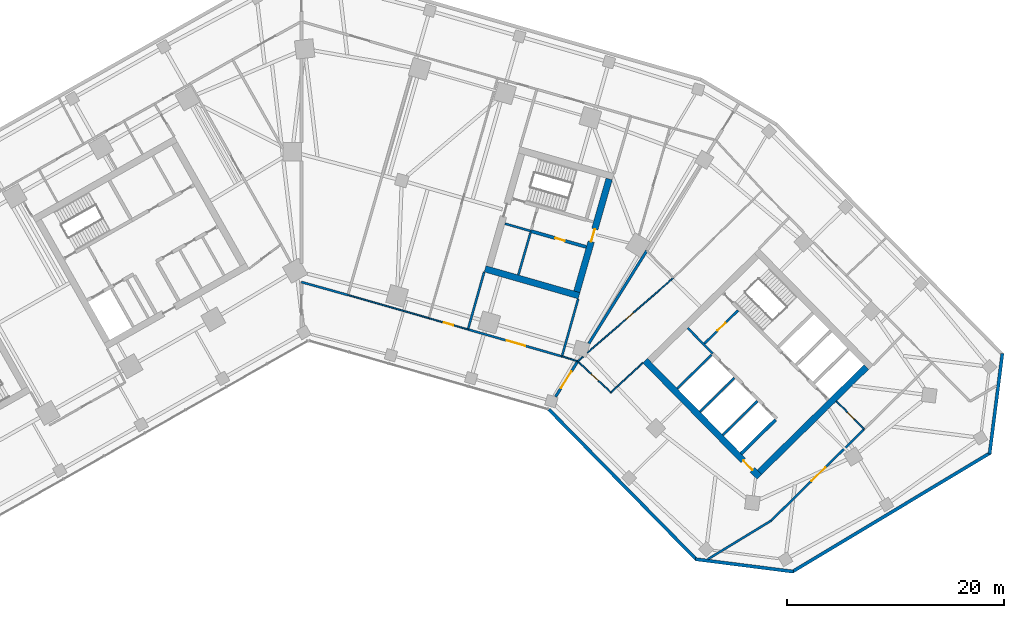
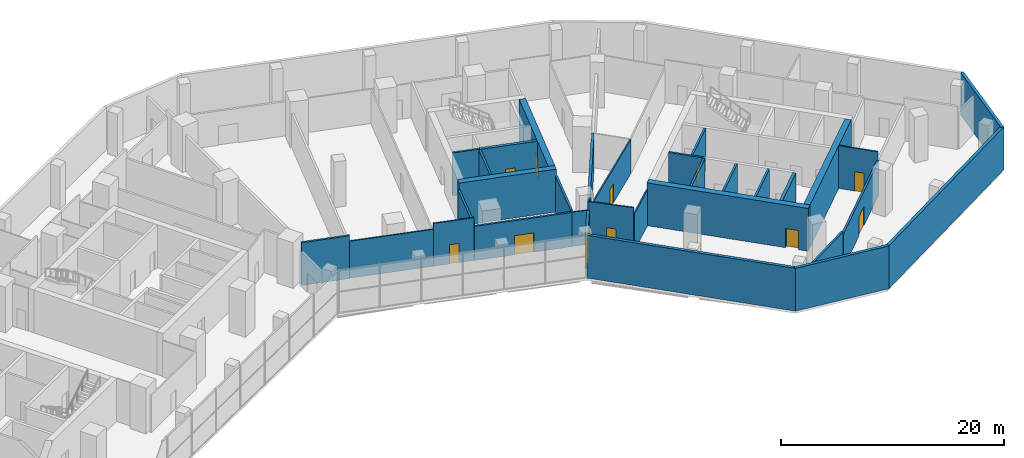
# One storey, part 11 of 16: 33 walls, 11 doors, 11 openings.
"""IFC4 building model written with IfcOpenShell, lengths in metres."""

from ifc_helpers import new_model, si_unit, direction, frame, frame_2d, origin, place, context, subcontext, project, spatial, rectangle, extrude, material, layer, layer_set, type_object, element, fill, save


model = new_model("IFC4")

# Units and contexts
model_context = context("Model", 3, precision=1e-05, world=origin(), true_north=direction((0.0, 1.0)))
body_context = subcontext(model_context, "Body", "Model", "MODEL_VIEW")
ifc_project = project(units=[si_unit("LENGTHUNIT", "METRE"), si_unit("AREAUNIT", "SQUARE_METRE"), si_unit("VOLUMEUNIT", "CUBIC_METRE"), si_unit("PLANEANGLEUNIT", "RADIAN"), si_unit("MASSUNIT", "GRAM", prefix="KILO")], contexts=[model_context])

# Site, building, storey
site_placement = place(None, origin())
site = spatial("IfcSite", under=ifc_project, at=site_placement, CompositionType="ELEMENT")
building_placement = place(site_placement, origin())
building = spatial("IfcBuilding", under=site, at=building_placement, Name="Binnacle Exchange Tower", CompositionType="ELEMENT")
storey_placement = place(building_placement, frame((0.0, 0.0, 21.5)))
storey = spatial("IfcBuildingStorey", under=building, at=storey_placement, Name="L04", CompositionType="ELEMENT", Elevation=21.5)

# Wall
ifc_material_1 = material(Name="Concrete C70/85", Category="concrete")
ifc_layer_1 = layer(ifc_material_1, 0.300048828125)
ifc_layer_set_1 = layer_set([ifc_layer_1], Name="Core wall - front 300")
wall_type_1 = type_object("IfcWallType", Name="Core wall - front 300", PredefinedType="SOLIDWALL", material=ifc_layer_set_1)
wall_1_placement = place(storey_placement, frame((40.480712890625, 32.199951171875, 0.0), z_axis=(0.0, 0.0, 1.0), x_axis=(0.713251741427, 0.700907949271, 0.0)))
element("IfcWall", 1, at=wall_1_placement, inside=storey, type_object=wall_type_1, Name="Core wall CRWB14", PredefinedType="SOLIDWALL", context=body_context, shape_type="SweptSolid", body=[
    extrude(rectangle(XDim=4.4501953125, YDim=0.300048828125, at=frame_2d((2.22509765625, 0.0))), origin(), (0.0, 0.0, 1.0), 4.679931640625),
])

# Wall, opening, door
wall_2_placement = place(storey_placement, frame((21.130859375, 52.6923828125, 0.0), z_axis=(0.0, 0.0, 1.0), x_axis=(0.961271492568, -0.275603188616, 0.0)))
wall_2 = element("IfcWall", 2, at=wall_2_placement, inside=storey, type_object=wall_type_1, Name="Core wall CRWD3", PredefinedType="SOLIDWALL", context=body_context, shape_type="SweptSolid", body=[
    extrude(rectangle(XDim=5.300048828125, YDim=0.300048828125, at=frame_2d((2.64990234375, 0.0))), origin(), (0.0, 0.0, 1.0), 4.679931640625),
])
opening_1_placement = place(wall_2_placement, frame((2.35009765625, 0.0, 0.0)))
opening_1 = element("IfcOpeningElement", 3, at=opening_1_placement, cuts=wall_2, Name="Opening DD10", PredefinedType="OPENING", context=body_context, shape_type="SweptSolid", body=[
    extrude(rectangle(XDim=0.89990234375, YDim=2.10009765625, at=frame_2d((0.449951171875, 1.050048828125))), frame((0.0, 0.159912109375, 0.0), z_axis=(0.0, -1.0, 0.0), x_axis=(1.0, 0.0, 0.0)), (0.0, 0.0, 1.0), 0.320068359375),
])
ifc_material_2 = material(Name="Steel door leaf", Category="steel")
door_type_1 = type_object("IfcDoorType", Name="Fire door 900", OperationType="NOTDEFINED", PredefinedType="DOOR", material=ifc_material_2)
door_1_placement = place(opening_1_placement, frame((0.89990234375, 0.0, 0.0), z_axis=(0.0, 0.0, 1.0), x_axis=(-1.0, 0.0, 0.0)))
door_1 = element("IfcDoor", 4, at=door_1_placement, inside=storey, type_object=door_type_1, Name="Core room door TELECOM RISER ROOM", OperationType="SINGLE_SWING_LEFT", OverallHeight=2.10009765625, OverallWidth=0.89990234375, PredefinedType="DOOR", context=body_context, shape_type="SweptSolid", body=[
    extrude(rectangle(XDim=0.89990234375, YDim=2.10009765625, at=frame_2d((0.449951171875, 1.050048828125))), frame((0.0, 0.02490234375, 0.0), z_axis=(0.0, -1.0, 0.0), x_axis=(1.0, 0.0, 0.0)), (0.0, 0.0, 1.0), 0.050048828125),
])
fill(opening_1, door_1)

ifc_layer_2 = layer(ifc_material_1, 0.60009765625)
ifc_layer_set_2 = layer_set([ifc_layer_2], Name="Core wall - outer 600")
wall_type_2 = type_object("IfcWallType", Name="Core wall - outer 600", PredefinedType="SOLIDWALL", material=ifc_layer_set_2)
wall_3_placement = place(storey_placement, frame((31.6455078125, 40.7626953125, 0.0), z_axis=(0.0, 0.0, 1.0), x_axis=(0.700911255944, -0.713248491965, 0.0)))
wall_3 = element("IfcWall", 5, at=wall_3_placement, inside=storey, type_object=wall_type_2, Name="Core wall CRWB1", PredefinedType="SOLIDWALL", context=body_context, shape_type="SweptSolid", body=[
    extrude(rectangle(XDim=15.0, YDim=0.60009765625, at=frame_2d((7.5, 0.0))), origin(), (0.0, 0.0, 1.0), 4.679931640625),
])
opening_2_placement = place(wall_3_placement, frame((12.89990234375, 0.0, 0.0)))
opening_2 = element("IfcOpeningElement", 6, at=opening_2_placement, cuts=wall_3, Name="Opening DB7", PredefinedType="OPENING", context=body_context, shape_type="SweptSolid", body=[
    extrude(rectangle(XDim=1.199951171875, YDim=2.10009765625, at=frame_2d((0.60009765625, 1.050048828125))), frame((0.0, 0.31005859375, 0.0), z_axis=(0.0, -1.0, 0.0), x_axis=(1.0, 0.0, 0.0)), (0.0, 0.0, 1.0), 0.6201171875),
])
door_type_2 = type_object("IfcDoorType", Name="Fire door 1200", OperationType="NOTDEFINED", PredefinedType="DOOR", material=ifc_material_2)
door_2_placement = place(opening_2_placement, frame((1.199951171875, 0.0, 0.0), z_axis=(0.0, 0.0, 1.0), x_axis=(-1.0, 0.0, 0.0)))
door_2 = element("IfcDoor", 7, at=door_2_placement, inside=storey, type_object=door_type_2, Name="Lift lobby entrance door core B", OperationType="SINGLE_SWING_LEFT", OverallHeight=2.10009765625, OverallWidth=1.199951171875, PredefinedType="DOOR", context=body_context, shape_type="SweptSolid", body=[
    extrude(rectangle(XDim=1.199951171875, YDim=2.10009765625, at=frame_2d((0.60009765625, 1.050048828125))), frame((0.0, 0.02490234375, 0.0), z_axis=(0.0, -1.0, 0.0), x_axis=(1.0, 0.0, 0.0)), (0.0, 0.0, 1.0), 0.050048828125),
])
fill(opening_2, door_2)

# Walls
wall_4_placement = place(storey_placement, frame((42.1630859375, 30.48828125, 0.0), z_axis=(0.0, 0.0, 1.0), x_axis=(0.713245344712, 0.70091445858, 0.0)))
element("IfcWall", 8, at=wall_4_placement, inside=storey, type_object=wall_type_2, Name="Core wall CRWB16", PredefinedType="SOLIDWALL", context=body_context, shape_type="SweptSolid", body=[
    extrude(rectangle(XDim=13.800048828125, YDim=0.60009765625, at=frame_2d((6.89990234375, 0.0))), origin(), (0.0, 0.0, 1.0), 4.679931640625),
])
wall_5_placement = place(storey_placement, frame((16.91064453125, 49.22119140625, 0.0), z_axis=(0.0, 0.0, 1.0), x_axis=(0.96126248289, -0.275634611374, 0.0)))
element("IfcWall", 9, at=wall_5_placement, inside=storey, type_object=wall_type_2, Name="Core wall CRWD1", PredefinedType="SOLIDWALL", context=body_context, shape_type="SweptSolid", body=[
    extrude(rectangle(XDim=9.0, YDim=0.60009765625, at=frame_2d((4.5, 0.0))), origin(), (0.0, 0.0, 1.0), 4.679931640625),
])

# Wall, opening, door
wall_6_placement = place(storey_placement, frame((25.356201171875, 47.111572265625, 0.0), z_axis=(0.0, 0.0, 1.0), x_axis=(0.275631631629, 0.961263337304, 0.0)))
wall_6 = element("IfcWall", 10, at=wall_6_placement, inside=storey, type_object=wall_type_2, Name="Core wall CRWD12", PredefinedType="SOLIDWALL", context=body_context, shape_type="SweptSolid", body=[
    extrude(rectangle(XDim=10.800048828125, YDim=0.60009765625, at=frame_2d((5.39990234375, 0.0))), origin(), (0.0, 0.0, 1.0), 4.679931640625),
])
opening_3_placement = place(wall_6_placement, frame((4.800048828125, 0.0, 0.0)))
opening_3 = element("IfcOpeningElement", 11, at=opening_3_placement, cuts=wall_6, Name="Opening DD6", PredefinedType="OPENING", context=body_context, shape_type="SweptSolid", body=[
    extrude(rectangle(XDim=1.199951171875, YDim=2.10009765625, at=frame_2d((0.60009765625, 1.050048828125))), frame((0.0, 0.31005859375, 0.0), z_axis=(0.0, -1.0, 0.0), x_axis=(1.0, 0.0, 0.0)), (0.0, 0.0, 1.0), 0.6201171875),
])
door_3_placement = place(opening_3_placement, frame((1.199951171875, 0.0, 0.0), z_axis=(0.0, 0.0, 1.0), x_axis=(-1.0, 0.0, 0.0)))
door_3 = element("IfcDoor", 12, at=door_3_placement, inside=storey, type_object=door_type_2, Name="Core passage exit door", OperationType="SINGLE_SWING_LEFT", OverallHeight=2.10009765625, OverallWidth=1.199951171875, PredefinedType="DOOR", context=body_context, shape_type="SweptSolid", body=[
    extrude(rectangle(XDim=1.199951171875, YDim=2.10009765625, at=frame_2d((0.60009765625, 1.050048828125))), frame((0.0, 0.02490234375, 0.0), z_axis=(0.0, -1.0, 0.0), x_axis=(1.0, 0.0, 0.0)), (0.0, 0.0, 1.0), 0.050048828125),
])
fill(opening_3, door_3)

# Walls
ifc_material_3 = material(Name="Bronze aluminium louvre", Category="aluminium")
ifc_layer_3 = layer(ifc_material_3, 0.300048828125)
ifc_layer_set_3 = layer_set([ifc_layer_3], Name="External wall - podium louvre 300")
wall_type_3 = type_object("IfcWallType", Name="External wall - podium louvre 300", PredefinedType="STANDARD", material=ifc_layer_set_3)
wall_7_placement = place(storey_placement, frame((36.37646484375, 22.43994140625, 0.0), z_axis=(0.0, 0.0, 1.0), x_axis=(-0.700917061273, 0.713242787006, 0.0)))
element("IfcWall", 13, at=wall_7_placement, inside=storey, type_object=wall_type_3, Name="External wall EW-P08 L04", PredefinedType="STANDARD", context=body_context, shape_type="SweptSolid", body=[
    extrude(rectangle(XDim=19.391357421875, YDim=0.300048828125, at=frame_2d((9.69580078125, 0.0))), origin(), (0.0, 0.0, 1.0), 4.679931640625),
])
wall_8_placement = place(storey_placement, frame((45.28466796875, 21.339111328125, 0.0), z_axis=(0.0, 0.0, 1.0), x_axis=(-0.992004224696, 0.126204667844, 0.0)))
element("IfcWall", 14, at=wall_8_placement, inside=storey, type_object=wall_type_3, Name="External wall EW-P09 L04", PredefinedType="STANDARD", context=body_context, shape_type="SweptSolid", body=[
    extrude(rectangle(XDim=9.06884765625, YDim=0.300048828125, at=frame_2d((4.534423828125, 0.0))), origin(), (0.0, 0.0, 1.0), 4.679931640625),
])
wall_9_placement = place(storey_placement, frame((63.432373046875, 32.28076171875, 0.0), z_axis=(0.0, 0.0, 1.0), x_axis=(-0.85716989082, -0.515033764206, 0.0)))
element("IfcWall", 15, at=wall_9_placement, inside=storey, type_object=wall_type_3, Name="External wall EW-P10 L04", PredefinedType="STANDARD", context=body_context, shape_type="SweptSolid", body=[
    extrude(rectangle(XDim=21.283935546875, YDim=0.300048828125, at=frame_2d((10.64208984375, 0.0))), origin(), (0.0, 0.0, 1.0), 4.679931640625),
])
wall_10_placement = place(storey_placement, frame((64.5380859375, 41.426025390625, 0.0), z_axis=(0.0, 0.0, 1.0), x_axis=(-0.126185920425, -0.992006609598, 0.0)))
element("IfcWall", 16, at=wall_10_placement, inside=storey, type_object=wall_type_3, Name="External wall EW-P11 L04", PredefinedType="STANDARD", context=body_context, shape_type="SweptSolid", body=[
    extrude(rectangle(XDim=9.329345703125, YDim=0.300048828125, at=frame_2d((4.66455078125, 0.0))), origin(), (0.0, 0.0, 1.0), 4.679931640625),
])
ifc_material_4 = material(Name="Masonry block wall", Category="masonry")
ifc_layer_4 = layer(ifc_material_4, 0.199951171875)
ifc_layer_set_4 = layer_set([ifc_layer_4], Name="Fire wall - block 200")
wall_type_4 = type_object("IfcWallType", Name="Fire wall - block 200", PredefinedType="PARTITIONING", material=ifc_layer_set_4)
wall_11_placement = place(storey_placement, frame((0.0, 48.0, 0.0), z_axis=(0.0, 0.0, 1.0), x_axis=(0.963400508162, -0.268066150181, 0.0)))
element("IfcWall", 17, at=wall_11_placement, inside=storey, type_object=wall_type_4, Name="Partition W42", PredefinedType="PARTITIONING", context=body_context, shape_type="SweptSolid", body=[
    extrude(rectangle(XDim=4.442626953125, YDim=0.199951171875, at=frame_2d((2.22119140625, 0.0))), origin(), (0.0, 0.0, 1.0), 4.679931640625),
])
wall_12_placement = place(storey_placement, frame((15.3349609375, 43.638916015625, 0.0), z_axis=(0.0, 0.0, 1.0), x_axis=(0.271407455373, 0.962464541252, 0.0)))
element("IfcWall", 18, at=wall_12_placement, inside=storey, type_object=wall_type_4, Name="Partition W53", PredefinedType="PARTITIONING", context=body_context, shape_type="SweptSolid", body=[
    extrude(rectangle(XDim=5.500732421875, YDim=0.199951171875, at=frame_2d((2.75048828125, 0.0))), origin(), (0.0, 0.0, 1.0), 3.9599609375),
])

# Wall, opening, door
wall_13_placement = place(storey_placement, frame((15.3349609375, 43.638916015625, 0.0), z_axis=(0.0, 0.0, 1.0), x_axis=(0.961281982754, -0.275566597455, 0.0)))
wall_13 = element("IfcWall", 19, at=wall_13_placement, inside=storey, type_object=wall_type_4, Name="Partition W54", PredefinedType="PARTITIONING", context=body_context, shape_type="SweptSolid", body=[
    extrude(rectangle(XDim=8.99951171875, YDim=0.199951171875, at=frame_2d((4.499755859375, 0.0))), origin(), (0.0, 0.0, 1.0), 3.748046875),
])
opening_4_placement = place(wall_13_placement, frame((3.699951171875, 0.0, 0.0)))
opening_4 = element("IfcOpeningElement", 20, at=opening_4_placement, cuts=wall_13, Name="Opening DL03-22", PredefinedType="OPENING", context=body_context, shape_type="SweptSolid", body=[
    extrude(rectangle(XDim=1.800048828125, YDim=2.10009765625, at=frame_2d((0.89990234375, 1.050048828125))), frame((0.0, 0.10986328125, 0.0), z_axis=(0.0, -1.0, 0.0), x_axis=(1.0, 0.0, 0.0)), (0.0, 0.0, 1.0), 0.219970703125),
])
door_type_3 = type_object("IfcDoorType", Name="Fire door 1800", OperationType="NOTDEFINED", PredefinedType="DOOR", material=ifc_material_2)
door_4_placement = place(opening_4_placement, origin())
door_4 = element("IfcDoor", 21, at=door_4_placement, inside=storey, type_object=door_type_3, Name="Door DL03-22", OperationType="DOUBLE_DOOR_SINGLE_SWING", OverallHeight=2.10009765625, OverallWidth=1.800048828125, PredefinedType="DOOR", context=body_context, shape_type="SweptSolid", body=[
    extrude(rectangle(XDim=1.800048828125, YDim=2.10009765625, at=frame_2d((0.89990234375, 1.050048828125))), frame((0.0, 0.02490234375, 0.0), z_axis=(0.0, -1.0, 0.0), x_axis=(1.0, 0.0, 0.0)), (0.0, 0.0, 1.0), 0.050048828125),
])
fill(opening_4, door_4)

# Walls
wall_14_placement = place(storey_placement, frame((23.986083984375, 41.158935546875, 0.0), z_axis=(0.0, 0.0, 1.0), x_axis=(0.271465437068, 0.962448188983, 0.0)))
element("IfcWall", 22, at=wall_14_placement, inside=storey, type_object=wall_type_4, Name="Partition W60", PredefinedType="PARTITIONING", context=body_context, shape_type="SweptSolid", body=[
    extrude(rectangle(XDim=5.49951171875, YDim=0.199951171875, at=frame_2d((2.749755859375, 0.0))), origin(), (0.0, 0.0, 1.0), 3.9599609375),
])
wall_15_placement = place(storey_placement, frame((37.426025390625, 22.489990234375, 0.0), z_axis=(0.0, 0.0, 1.0), x_axis=(0.854177797602, 0.519981047812, 0.0)))
element("IfcWall", 23, at=wall_15_placement, inside=storey, type_object=wall_type_4, Name="Partition W74", PredefinedType="PARTITIONING", context=body_context, shape_type="SweptSolid", body=[
    extrude(rectangle(XDim=6.813720703125, YDim=0.199951171875, at=frame_2d((3.40673828125, 0.0))), origin(), (0.0, 0.0, 1.0), 4.048095703125),
])

# Wall, opening, door
wall_16_placement = place(storey_placement, frame((43.24609375, 26.032958984375, 0.0), z_axis=(0.0, 0.0, 1.0), x_axis=(0.713234358052, 0.700925638349, 0.0)))
wall_16 = element("IfcWall", 24, at=wall_16_placement, inside=storey, type_object=wall_type_4, Name="Partition W79", PredefinedType="PARTITIONING", context=body_context, shape_type="SweptSolid", body=[
    extrude(rectangle(XDim=12.0, YDim=0.199951171875, at=frame_2d((6.0, 0.0))), origin(), (0.0, 0.0, 1.0), 3.741943359375),
])
opening_5_placement = place(wall_16_placement, frame((5.199951171875, 0.0, 0.0)))
opening_5 = element("IfcOpeningElement", 25, at=opening_5_placement, cuts=wall_16, Name="Opening DL03-29", PredefinedType="OPENING", context=body_context, shape_type="SweptSolid", body=[
    extrude(rectangle(XDim=1.800048828125, YDim=2.10009765625, at=frame_2d((0.89990234375, 1.050048828125))), frame((0.0, 0.10986328125, 0.0), z_axis=(0.0, -1.0, 0.0), x_axis=(1.0, 0.0, 0.0)), (0.0, 0.0, 1.0), 0.219970703125),
])
door_5_placement = place(opening_5_placement, frame((1.800048828125, 0.0, 0.0), z_axis=(0.0, 0.0, 1.0), x_axis=(-1.0, 0.0, 0.0)))
door_5 = element("IfcDoor", 26, at=door_5_placement, inside=storey, type_object=door_type_3, Name="Door DL03-29", OperationType="DOUBLE_DOOR_SINGLE_SWING", OverallHeight=2.10009765625, OverallWidth=1.800048828125, PredefinedType="DOOR", context=body_context, shape_type="SweptSolid", body=[
    extrude(rectangle(XDim=1.800048828125, YDim=2.10009765625, at=frame_2d((0.89990234375, 1.050048828125))), frame((0.0, 0.02490234375, 0.0), z_axis=(0.0, -1.0, 0.0), x_axis=(1.0, 0.0, 0.0)), (0.0, 0.0, 1.0), 0.050048828125),
])
fill(opening_5, door_5)

ifc_material_5 = material(Name="Concrete fire wall C30/37", Category="concrete")
ifc_layer_5 = layer(ifc_material_5, 0.25)
ifc_layer_set_5 = layer_set([ifc_layer_5], Name="Fire wall - compartment 250")
wall_type_5 = type_object("IfcWallType", Name="Fire wall - compartment 250", PredefinedType="PARTITIONING", material=ifc_layer_set_5)
wall_17_placement = place(storey_placement, frame((23.39697265625, 37.44189453125, 0.0), z_axis=(0.0, 0.0, 1.0), x_axis=(0.529805058875, 0.848119448893, 0.0)))
wall_17 = element("IfcWall", 27, at=wall_17_placement, inside=storey, type_object=wall_type_5, Name="Fire Wall W58", PredefinedType="PARTITIONING", context=body_context, shape_type="SweptSolid", body=[
    extrude(rectangle(XDim=3.8486328125, YDim=0.25, at=frame_2d((1.92431640625, 0.0))), origin(), (0.0, 0.0, 1.0), 3.741943359375),
])
opening_6_placement = place(wall_17_placement, frame((0.949951171875, 0.0, 0.0)))
opening_6 = element("IfcOpeningElement", 28, at=opening_6_placement, cuts=wall_17, Name="Opening DL03-33", PredefinedType="OPENING", context=body_context, shape_type="SweptSolid", body=[
    extrude(rectangle(XDim=1.800048828125, YDim=2.10009765625, at=frame_2d((0.89990234375, 1.050048828125))), frame((0.0, 0.135009765625, 0.0), z_axis=(0.0, -1.0, 0.0), x_axis=(1.0, 0.0, 0.0)), (0.0, 0.0, 1.0), 0.27001953125),
])
door_6_placement = place(opening_6_placement, origin())
door_6 = element("IfcDoor", 29, at=door_6_placement, inside=storey, type_object=door_type_3, Name="Door DL03-33", OperationType="DOUBLE_DOOR_SINGLE_SWING", OverallHeight=2.10009765625, OverallWidth=1.800048828125, PredefinedType="DOOR", context=body_context, shape_type="SweptSolid", body=[
    extrude(rectangle(XDim=1.800048828125, YDim=2.10009765625, at=frame_2d((0.89990234375, 1.050048828125))), frame((0.0, 0.02490234375, 0.0), z_axis=(0.0, -1.0, 0.0), x_axis=(1.0, 0.0, 0.0)), (0.0, 0.0, 1.0), 0.050048828125),
])
fill(opening_6, door_6)

# Wall
wall_18_placement = place(storey_placement, frame((26.4560546875, 42.337890625, 0.0), z_axis=(0.0, 0.0, 1.0), x_axis=(0.529866075757, 0.848081329686, 0.0)))
element("IfcWall", 30, at=wall_18_placement, inside=storey, type_object=wall_type_5, Name="Fire Wall W64", PredefinedType="PARTITIONING", context=body_context, shape_type="SweptSolid", body=[
    extrude(rectangle(XDim=10.075927734375, YDim=0.25, at=frame_2d((5.0380859375, 0.0))), origin(), (0.0, 0.0, 1.0), 3.741943359375),
])

# Wall, opening, door
ifc_layer_6 = layer(ifc_material_4, 0.199951171875)
ifc_layer_set_6 = layer_set([ifc_layer_6], Name="Fire wall - vestibule 200")
wall_type_6 = type_object("IfcWallType", Name="Fire wall - vestibule 200", PredefinedType="PARTITIONING", material=ifc_layer_set_6)
wall_19_placement = place(storey_placement, frame((37.104248046875, 42.341552734375, 0.0), z_axis=(0.0, 0.0, 1.0), x_axis=(0.713281298468, 0.700877870428, 0.0)))
wall_19 = element("IfcWall", 31, at=wall_19_placement, inside=storey, type_object=wall_type_6, Name="Core wall CRWB8", PredefinedType="PARTITIONING", context=body_context, shape_type="SweptSolid", body=[
    extrude(rectangle(XDim=4.35009765625, YDim=0.199951171875, at=frame_2d((2.175048828125, 0.0))), origin(), (0.0, 0.0, 1.0), 4.679931640625),
])
opening_7_placement = place(wall_19_placement, frame((1.699951171875, 0.0, 0.0)))
opening_7 = element("IfcOpeningElement", 32, at=opening_7_placement, cuts=wall_19, Name="Opening DB3", PredefinedType="OPENING", context=body_context, shape_type="SweptSolid", body=[
    extrude(rectangle(XDim=1.0, YDim=2.10009765625, at=frame_2d((0.5, 1.050048828125))), frame((0.0, 0.10986328125, 0.0), z_axis=(0.0, -1.0, 0.0), x_axis=(1.0, 0.0, 0.0)), (0.0, 0.0, 1.0), 0.219970703125),
])
door_type_4 = type_object("IfcDoorType", Name="Fire door 1000", OperationType="NOTDEFINED", PredefinedType="DOOR", material=ifc_material_2)
door_7_placement = place(opening_7_placement, origin())
door_7 = element("IfcDoor", 33, at=door_7_placement, inside=storey, type_object=door_type_4, Name="Vestibule door VEST-W", OperationType="SINGLE_SWING_RIGHT", OverallHeight=2.10009765625, OverallWidth=1.0, PredefinedType="DOOR", context=body_context, shape_type="SweptSolid", body=[
    extrude(rectangle(XDim=1.0, YDim=2.10009765625, at=frame_2d((0.5, 1.050048828125))), frame((0.0, 0.02490234375, 0.0), z_axis=(0.0, -1.0, 0.0), x_axis=(1.0, 0.0, 0.0)), (0.0, 0.0, 1.0), 0.050048828125),
])
fill(opening_7, door_7)

# Wall
ifc_material_6 = material(Name="Gypsum partition")
ifc_layer_7 = layer(ifc_material_6, 0.125)
ifc_layer_set_7 = layer_set([ifc_layer_7], Name="Partition 125")
wall_type_7 = type_object("IfcWallType", Name="Partition 125", PredefinedType="PARTITIONING", material=ifc_layer_set_7)
wall_20_placement = place(storey_placement, frame((4.280029296875, 46.80908203125, 0.0), z_axis=(0.0, 0.0, 1.0), x_axis=(0.961270337968, -0.275607215693, 0.0)))
element("IfcWall", 34, at=wall_20_placement, inside=storey, type_object=wall_type_7, Name="Partition W49", PredefinedType="PARTITIONING", context=body_context, shape_type="SweptSolid", body=[
    extrude(rectangle(XDim=7.75, YDim=0.125, at=frame_2d((3.875, 0.0))), origin(), (0.0, 0.0, 1.0), 4.048095703125),
])

# Wall, opening, door
wall_21_placement = place(storey_placement, frame((11.72998046875, 44.673095703125, 0.0), z_axis=(0.0, 0.0, 1.0), x_axis=(0.961228613303, -0.275752702557, 0.0)))
wall_21 = element("IfcWall", 35, at=wall_21_placement, inside=storey, type_object=wall_type_7, Name="Partition W51", PredefinedType="PARTITIONING", context=body_context, shape_type="SweptSolid", body=[
    extrude(rectangle(XDim=3.75048828125, YDim=0.125, at=frame_2d((1.875244140625, 0.0))), origin(), (0.0, 0.0, 1.0), 4.679931640625),
])
opening_8_placement = place(wall_21_placement, frame((1.449951171875, 0.0, 0.0)))
opening_8 = element("IfcOpeningElement", 36, at=opening_8_placement, cuts=wall_21, Name="Opening DL03-16", PredefinedType="OPENING", context=body_context, shape_type="SweptSolid", body=[
    extrude(rectangle(XDim=0.89990234375, YDim=2.10009765625, at=frame_2d((0.449951171875, 1.050048828125))), frame((0.0, 0.072509765625, 0.0), z_axis=(0.0, -1.0, 0.0), x_axis=(1.0, 0.0, 0.0)), (0.0, 0.0, 1.0), 0.14501953125),
])
ifc_material_7 = material(Name="Timber door leaf", Category="wood")
door_type_5 = type_object("IfcDoorType", Name="Door 900", OperationType="NOTDEFINED", PredefinedType="DOOR", material=ifc_material_7)
door_8_placement = place(opening_8_placement, frame((0.89990234375, 0.0, 0.0), z_axis=(0.0, 0.0, 1.0), x_axis=(-1.0, 0.0, 0.0)))
door_8 = element("IfcDoor", 37, at=door_8_placement, inside=storey, type_object=door_type_5, Name="Door DL03-16", OperationType="SINGLE_SWING_LEFT", OverallHeight=2.10009765625, OverallWidth=0.89990234375, PredefinedType="DOOR", context=body_context, shape_type="SweptSolid", body=[
    extrude(rectangle(XDim=0.89990234375, YDim=2.10009765625, at=frame_2d((0.449951171875, 1.050048828125))), frame((0.0, 0.02490234375, 0.0), z_axis=(0.0, -1.0, 0.0), x_axis=(1.0, 0.0, 0.0)), (0.0, 0.0, 1.0), 0.050048828125),
])
fill(opening_8, door_8)

# Walls
wall_22_placement = place(storey_placement, frame((23.986083984375, 41.158935546875, 0.0), z_axis=(0.0, 0.0, 1.0), x_axis=(0.954522865266, -0.298137719325, 0.0)))
element("IfcWall", 38, at=wall_22_placement, inside=storey, type_object=wall_type_7, Name="Partition W59", PredefinedType="PARTITIONING", context=body_context, shape_type="SweptSolid", body=[
    extrude(rectangle(XDim=1.51904296875, YDim=0.125, at=frame_2d((0.759521484375, 0.0))), origin(), (0.0, 0.0, 1.0), 3.741943359375),
])
wall_23_placement = place(storey_placement, frame((25.43603515625, 40.7060546875, 0.0), z_axis=(0.0, 0.0, 1.0), x_axis=(0.753521944961, 0.657422754749, 0.0)))
element("IfcWall", 39, at=wall_23_placement, inside=storey, type_object=wall_type_7, Name="Partition W61", PredefinedType="PARTITIONING", context=body_context, shape_type="SweptSolid", body=[
    extrude(rectangle(XDim=0.655517578125, YDim=0.125, at=frame_2d((0.32763671875, 0.0))), origin(), (0.0, 0.0, 1.0), 4.679931640625),
])

# Wall, opening, door
wall_24_placement = place(storey_placement, frame((25.43603515625, 40.7060546875, 0.0), z_axis=(0.0, 0.0, 1.0), x_axis=(0.729011488135, -0.684501461041, 0.0)))
wall_24 = element("IfcWall", 40, at=wall_24_placement, inside=storey, type_object=wall_type_7, Name="Partition W62", PredefinedType="PARTITIONING", context=body_context, shape_type="SweptSolid", body=[
    extrude(rectangle(XDim=4.20166015625, YDim=0.125, at=frame_2d((2.100830078125, 0.0))), origin(), (0.0, 0.0, 1.0), 4.679931640625),
])
opening_9_placement = place(wall_24_placement, frame((1.699951171875, 0.0, 0.0)))
opening_9 = element("IfcOpeningElement", 41, at=opening_9_placement, cuts=wall_24, Name="Opening DL03-23", PredefinedType="OPENING", context=body_context, shape_type="SweptSolid", body=[
    extrude(rectangle(XDim=0.89990234375, YDim=2.10009765625, at=frame_2d((0.449951171875, 1.050048828125))), frame((0.0, 0.072509765625, 0.0), z_axis=(0.0, -1.0, 0.0), x_axis=(1.0, 0.0, 0.0)), (0.0, 0.0, 1.0), 0.14501953125),
])
door_9_placement = place(opening_9_placement, origin())
door_9 = element("IfcDoor", 42, at=door_9_placement, inside=storey, type_object=door_type_5, Name="Door DL03-23", OperationType="SINGLE_SWING_RIGHT", OverallHeight=2.10009765625, OverallWidth=0.89990234375, PredefinedType="DOOR", context=body_context, shape_type="SweptSolid", body=[
    extrude(rectangle(XDim=0.89990234375, YDim=2.10009765625, at=frame_2d((0.449951171875, 1.050048828125))), frame((0.0, 0.02490234375, 0.0), z_axis=(0.0, -1.0, 0.0), x_axis=(1.0, 0.0, 0.0)), (0.0, 0.0, 1.0), 0.050048828125),
])
fill(opening_9, door_9)

wall_25_placement = place(storey_placement, frame((26.337890625, 41.491943359375, 0.0), z_axis=(0.0, 0.0, 1.0), x_axis=(0.753866696092, 0.657027400131, 0.0)))
wall_25 = element("IfcWall", 43, at=wall_25_placement, inside=storey, type_object=wall_type_7, Name="Partition W63", PredefinedType="PARTITIONING", context=body_context, shape_type="SweptSolid", body=[
    extrude(rectangle(XDim=10.49267578125, YDim=0.125, at=frame_2d((5.246337890625, 0.0))), origin(), (0.0, 0.0, 1.0), 3.741943359375),
])
opening_10_placement = place(wall_25_placement, frame((4.699951171875, 0.0, 0.0)))
opening_10 = element("IfcOpeningElement", 44, at=opening_10_placement, cuts=wall_25, Name="Opening DL03-28", PredefinedType="OPENING", context=body_context, shape_type="SweptSolid", body=[
    extrude(rectangle(XDim=0.89990234375, YDim=2.10009765625, at=frame_2d((0.449951171875, 1.050048828125))), frame((0.0, 0.072509765625, 0.0), z_axis=(0.0, -1.0, 0.0), x_axis=(1.0, 0.0, 0.0)), (0.0, 0.0, 1.0), 0.14501953125),
])
door_10_placement = place(opening_10_placement, origin())
door_10 = element("IfcDoor", 45, at=door_10_placement, inside=storey, type_object=door_type_5, Name="Door DL03-28", OperationType="SINGLE_SWING_LEFT", OverallHeight=2.10009765625, OverallWidth=0.89990234375, PredefinedType="DOOR", context=body_context, shape_type="SweptSolid", body=[
    extrude(rectangle(XDim=0.89990234375, YDim=2.10009765625, at=frame_2d((0.449951171875, 1.050048828125))), frame((0.0, 0.02490234375, 0.0), z_axis=(0.0, -1.0, 0.0), x_axis=(1.0, 0.0, 0.0)), (0.0, 0.0, 1.0), 0.050048828125),
])
fill(opening_10, door_10)

# Wall
wall_26_placement = place(storey_placement, frame((28.4990234375, 37.830078125, 0.0), z_axis=(0.0, 0.0, 1.0), x_axis=(0.732973836409, 0.680256830278, 0.0)))
element("IfcWall", 46, at=wall_26_placement, inside=storey, type_object=wall_type_7, Name="Partition W65", PredefinedType="PARTITIONING", context=body_context, shape_type="SweptSolid", body=[
    extrude(rectangle(XDim=4.001220703125, YDim=0.125, at=frame_2d((2.00048828125, 0.0))), origin(), (0.0, 0.0, 1.0), 3.951904296875),
])

# Wall, opening, door
wall_27_placement = place(storey_placement, frame((49.256103515625, 37.0380859375, 0.0), z_axis=(0.0, 0.0, 1.0), x_axis=(0.700869700408, -0.713289326325, 0.0)))
wall_27 = element("IfcWall", 47, at=wall_27_placement, inside=storey, type_object=wall_type_7, Name="Partition W82", PredefinedType="PARTITIONING", context=body_context, shape_type="SweptSolid", body=[
    extrude(rectangle(XDim=3.63671875, YDim=0.125, at=frame_2d((1.818359375, 0.0))), origin(), (0.0, 0.0, 1.0), 4.679931640625),
])
opening_11_placement = place(wall_27_placement, frame((1.449951171875, 0.0, 0.0)))
opening_11 = element("IfcOpeningElement", 48, at=opening_11_placement, cuts=wall_27, Name="Opening DL03-24", PredefinedType="OPENING", context=body_context, shape_type="SweptSolid", body=[
    extrude(rectangle(XDim=0.89990234375, YDim=2.10009765625, at=frame_2d((0.449951171875, 1.050048828125))), frame((0.0, 0.072509765625, 0.0), z_axis=(0.0, -1.0, 0.0), x_axis=(1.0, 0.0, 0.0)), (0.0, 0.0, 1.0), 0.14501953125),
])
door_11_placement = place(opening_11_placement, origin())
door_11 = element("IfcDoor", 49, at=door_11_placement, inside=storey, type_object=door_type_5, Name="Door DL03-24", OperationType="SINGLE_SWING_RIGHT", OverallHeight=2.10009765625, OverallWidth=0.89990234375, PredefinedType="DOOR", context=body_context, shape_type="SweptSolid", body=[
    extrude(rectangle(XDim=0.89990234375, YDim=2.10009765625, at=frame_2d((0.449951171875, 1.050048828125))), frame((0.0, 0.02490234375, 0.0), z_axis=(0.0, -1.0, 0.0), x_axis=(1.0, 0.0, 0.0)), (0.0, 0.0, 1.0), 0.050048828125),
])
fill(opening_11, door_11)

# Walls
ifc_layer_8 = layer(ifc_material_4, 0.199951171875)
ifc_layer_set_8 = layer_set([ifc_layer_8], Name="Riser wall 200")
wall_type_8 = type_object("IfcWallType", Name="Riser wall 200", PredefinedType="SOLIDWALL", material=ifc_layer_set_8)
wall_28_placement = place(storey_placement, frame((35.56103515625, 43.769287109375, 0.0), z_axis=(0.0, 0.0, 1.0), x_axis=(0.70090232736, -0.713257266, 0.0)))
element("IfcWall", 50, at=wall_28_placement, inside=storey, type_object=wall_type_8, Name="Core wall CRWB2", PredefinedType="SOLIDWALL", context=body_context, shape_type="SweptSolid", body=[
    extrude(rectangle(XDim=3.300048828125, YDim=0.199951171875, at=frame_2d((1.64990234375, 0.0))), origin(), (0.0, 0.0, 1.0), 4.679931640625),
])
wall_29_placement = place(storey_placement, frame((34.59326171875, 38.19140625, 0.0), z_axis=(0.0, 0.0, 1.0), x_axis=(0.713252216116, 0.700907466222, 0.0)))
element("IfcWall", 51, at=wall_29_placement, inside=storey, type_object=wall_type_8, Name="Core wall CRWB9", PredefinedType="SOLIDWALL", context=body_context, shape_type="SweptSolid", body=[
    extrude(rectangle(XDim=4.44970703125, YDim=0.199951171875, at=frame_2d((2.224853515625, 0.0))), origin(), (0.0, 0.0, 1.0), 4.679931640625),
])
wall_30_placement = place(storey_placement, frame((18.727783203125, 53.381591796875, 0.0), z_axis=(0.0, 0.0, 1.0), x_axis=(0.961247070632, -0.275688355216, 0.0)))
element("IfcWall", 52, at=wall_30_placement, inside=storey, type_object=wall_type_8, Name="Core wall CRWD2", PredefinedType="SOLIDWALL", context=body_context, shape_type="SweptSolid", body=[
    extrude(rectangle(XDim=2.5, YDim=0.199951171875, at=frame_2d((1.25, 0.0))), origin(), (0.0, 0.0, 1.0), 4.679931640625),
])
wall_31_placement = place(storey_placement, frame((19.97314453125, 48.6552734375, 0.0), z_axis=(0.0, 0.0, 1.0), x_axis=(0.275668441653, 0.961252781674, 0.0)))
element("IfcWall", 53, at=wall_31_placement, inside=storey, type_object=wall_type_8, Name="Core wall CRWD8", PredefinedType="SOLIDWALL", context=body_context, shape_type="SweptSolid", body=[
    extrude(rectangle(XDim=4.050048828125, YDim=0.199951171875, at=frame_2d((2.02490234375, 0.0))), origin(), (0.0, 0.0, 1.0), 4.679931640625),
])
ifc_layer_9 = layer(ifc_material_4, 0.199951171875)
ifc_layer_set_9 = layer_set([ifc_layer_9], Name="Shaft wall 200")
wall_type_9 = type_object("IfcWallType", Name="Shaft wall 200", PredefinedType="SOLIDWALL", material=ifc_layer_set_9)
for number, where, z_axis, x_axis, name in (
    (54, (36.69580078125, 36.051513671875, 0.0), (0.0, 0.0, 1.0), (0.713251741427, 0.700907949271, 0.0), "Core wall CRWB10"),
    (55, (38.798583984375, 33.911865234375, 0.0), (0.0, 0.0, 1.0), (0.713251741427, 0.700907949271, 0.0), "Core wall CRWB12"),
):
    element("IfcWall", number, at=place(storey_placement, frame(where, z_axis=z_axis, x_axis=x_axis)), inside=storey, type_object=wall_type_9, Name=name, PredefinedType="SOLIDWALL", context=body_context, shape_type="SweptSolid", body=[
        extrude(rectangle(XDim=4.4501953125, YDim=0.199951171875, at=frame_2d((2.22509765625, 0.0))), origin(), (0.0, 0.0, 1.0), 4.679931640625),
    ])

save(model, "model.ifc")
